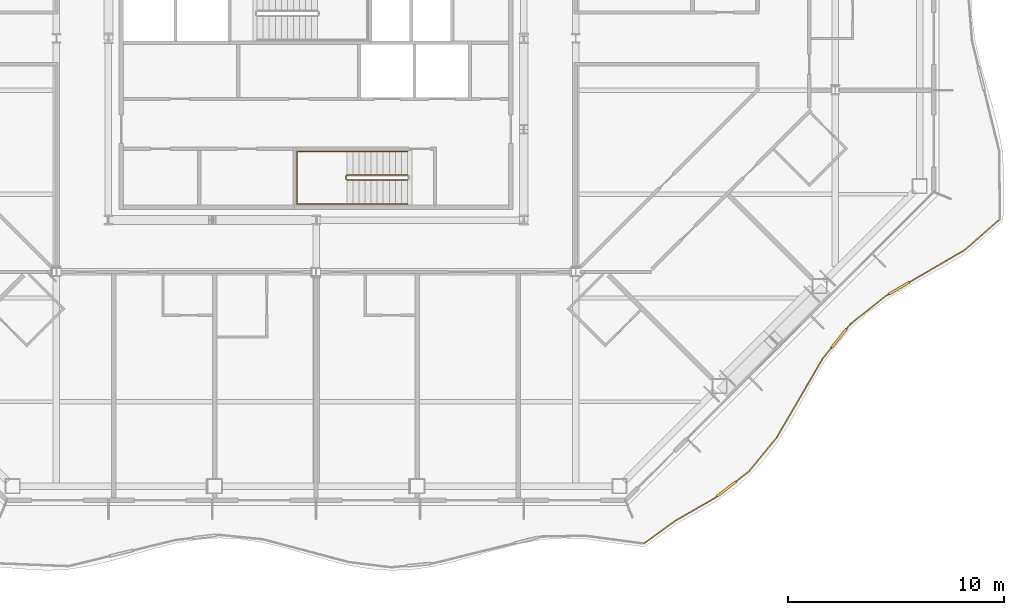
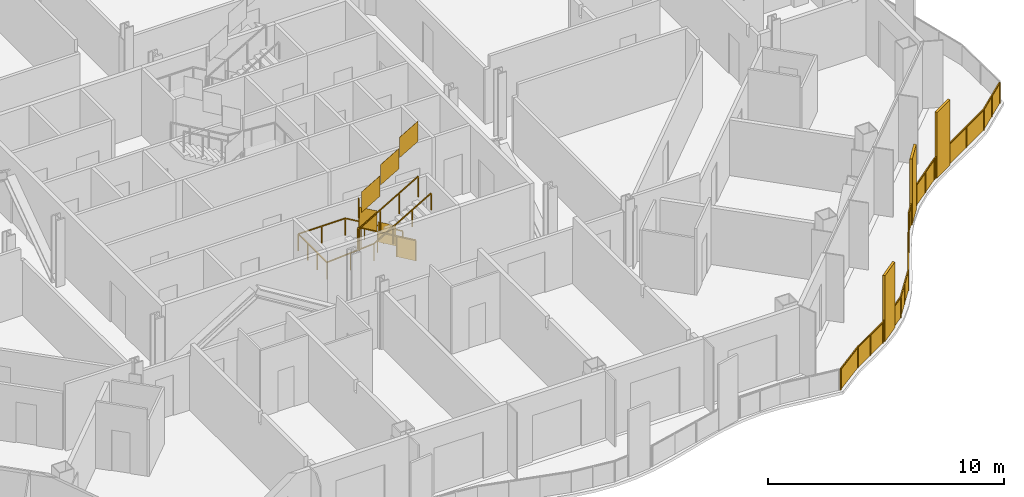
# One storey, part 18 of 21: 3 railings.
"""IFC4 building model written with IfcOpenShell, lengths in metres."""

from ifc_helpers import new_model, si_unit, direction, frame, origin, origin_2d, place, context, subcontext, project, spatial, polyline, rectangle, outline, extrude, material, type_object, element, save


model = new_model("IFC4")

# Units and contexts
model_context = context("Model", 3, precision=1e-05, world=origin(), true_north=direction((0.0, 1.0)))
body_context = subcontext(model_context, "Body", "Model", "MODEL_VIEW")
ifc_project = project(units=[si_unit("LENGTHUNIT", "METRE"), si_unit("AREAUNIT", "SQUARE_METRE"), si_unit("VOLUMEUNIT", "CUBIC_METRE"), si_unit("PLANEANGLEUNIT", "RADIAN"), si_unit("MASSUNIT", "GRAM", prefix="KILO")], contexts=[model_context])

# Site, building, storey
site_placement = place(None, origin())
site = spatial("IfcSite", under=ifc_project, at=site_placement, CompositionType="ELEMENT")
building_placement = place(site_placement, origin())
building = spatial("IfcBuilding", under=site, at=building_placement, Name="Cairn Pilgrim Tower", CompositionType="ELEMENT")
storey_placement = place(building_placement, frame((0.0, 0.0, 136.199951171875)))
storey = spatial("IfcBuildingStorey", under=building, at=storey_placement, Name="L33", CompositionType="ELEMENT", Elevation=136.199951171875)

# Railings
ifc_material_1 = material(Name="Bronze anodised aluminium rail, posts and fin screens with laminated glass infill", Category="aluminium")
railing_type_1 = type_object("IfcRailingType", Name="BALCONY GUARD WITH FIN SCREENS", PredefinedType="GUARDRAIL", material=ifc_material_1)
railing_1_placement = place(storey_placement, frame((22.351318359375, -20.952880859375, 0.0)))
element("IfcRailing", 1, at=railing_1_placement, inside=storey, type_object=railing_type_1, Name="Balcony guard BGF-2 with fin screens", PredefinedType="GUARDRAIL", context=body_context, shape_type="SweptSolid", body=[
    extrude(rectangle(XDim=0.050048828125, YDim=0.050048828125, at=origin_2d()), frame((0.0, 0.0, 1.0751953125), z_axis=(0.809139234835, 0.587616965932, 0.0), x_axis=(-0.587616965932, 0.809139234835, 0.0)), (0.0, 0.0, 1.0), 1.77978515625),
    extrude(rectangle(XDim=0.050048828125, YDim=0.050048828125, at=origin_2d()), frame((1.440185546875, 1.0458984375, 1.0751953125), z_axis=(0.867643704603, 0.497186486002, 0.0), x_axis=(-0.497186486002, 0.867643704603, 0.0)), (0.0, 0.0, 1.0), 2.107666015625),
    extrude(rectangle(XDim=1.10009765625, YDim=0.110107421875, at=origin_2d()), frame((3.8203125, 2.524658203125, 0.0), z_axis=(0.0, 0.0, 1.0), x_axis=(0.788064599698, 0.615592549259, 0.0)), (0.0, 0.0, 1.0), 3.39990234375),
    extrude(rectangle(XDim=0.050048828125, YDim=0.050048828125, at=origin_2d()), frame((3.268798828125, 2.09375, 1.0751953125), z_axis=(0.788064599698, 0.615592549259, 0.0), x_axis=(-0.615592549259, 0.788064599698, 0.0)), (0.0, 0.0, 1.0), 0.14990234375),
    extrude(rectangle(XDim=0.050048828125, YDim=0.050048828125, at=origin_2d()), frame((4.25390625, 2.86328125, 1.0751953125), z_axis=(0.788064599698, 0.615592549259, 0.0), x_axis=(-0.615592549259, 0.788064599698, 0.0)), (0.0, 0.0, 1.0), 0.774169921875),
    extrude(rectangle(XDim=0.050048828125, YDim=0.050048828125, at=origin_2d()), frame((4.864013671875, 3.33984375, 1.0751953125), z_axis=(0.633053317924, 0.774108194419, 0.0), x_axis=(-0.774108194419, 0.633053317924, 0.0)), (0.0, 0.0, 1.0), 2.01806640625),
    extrude(rectangle(XDim=0.050048828125, YDim=0.050048828125, at=origin_2d()), frame((6.1416015625, 4.902099609375, 1.0751953125), z_axis=(0.503114016785, 0.864220044962, 0.0), x_axis=(-0.864220044962, 0.503114016785, 0.0)), (0.0, 0.0, 1.0), 4.212158203125),
    extrude(rectangle(XDim=1.10009765625, YDim=0.110107421875, at=origin_2d()), frame((9.022216796875, 9.48779296875, 0.0), z_axis=(0.0, 0.0, 1.0), x_axis=(0.627244351659, 0.778822523629, 0.0)), (0.0, 0.0, 1.0), 3.39990234375),
    extrude(rectangle(XDim=0.050048828125, YDim=0.050048828125, at=origin_2d()), frame((8.2607421875, 8.542236328125, 1.0751953125), z_axis=(0.627244351659, 0.778822523629, 0.0), x_axis=(-0.778822523629, 0.627244351659, 0.0)), (0.0, 0.0, 1.0), 0.6640625),
    extrude(rectangle(XDim=0.050048828125, YDim=0.050048828125, at=origin_2d()), frame((9.3671875, 9.916015625, 1.0751953125), z_axis=(0.627244351659, 0.778822523629, 0.0), x_axis=(-0.778822523629, 0.627244351659, 0.0)), (0.0, 0.0, 1.0), 0.31201171875),
    extrude(rectangle(XDim=0.050048828125, YDim=0.050048828125, at=origin_2d()), frame((9.56298828125, 10.1591796875, 1.0751953125), z_axis=(0.783521351001, 0.621364862642, 0.0), x_axis=(-0.621364862642, 0.783521351001, 0.0)), (0.0, 0.0, 1.0), 2.07763671875),
    extrude(rectangle(XDim=1.10009765625, YDim=0.110107421875, at=origin_2d()), frame((11.795654296875, 11.802490234375, 0.0), z_axis=(0.0, 0.0, 1.0), x_axis=(0.864115345833, 0.503293819847, 0.0)), (0.0, 0.0, 1.0), 3.39990234375),
    extrude(rectangle(XDim=0.050048828125, YDim=0.050048828125, at=origin_2d()), frame((11.19091796875, 11.4501953125, 1.0751953125), z_axis=(0.864115345833, 0.503293819847, 0.0), x_axis=(-0.503293819847, 0.864115345833, 0.0)), (0.0, 0.0, 1.0), 0.14990234375),
    extrude(rectangle(XDim=0.050048828125, YDim=0.050048828125, at=origin_2d()), frame((12.27099609375, 12.079345703125, 1.0751953125), z_axis=(0.864115345833, 0.503293819847, 0.0), x_axis=(-0.503293819847, 0.864115345833, 0.0)), (0.0, 0.0, 1.0), 2.958740234375),
    extrude(rectangle(XDim=0.050048828125, YDim=0.050048828125, at=origin_2d()), frame((14.82763671875, 13.568359375, 1.0751953125), z_axis=(0.752720326501, 0.658340421114, 0.0), x_axis=(-0.658340421114, 0.752720326501, 0.0)), (0.0, 0.0, 1.0), 2.105712890625),
    extrude(rectangle(XDim=0.050048828125, YDim=0.050048828125, at=origin_2d()), origin(), (0.0, 0.0, 1.0), 1.050048828125),
    extrude(rectangle(XDim=0.050048828125, YDim=0.050048828125, at=origin_2d()), frame((1.440185546875, 1.0458984375, 0.0)), (0.0, 0.0, 1.0), 1.050048828125),
    extrude(rectangle(XDim=0.050048828125, YDim=0.050048828125, at=origin_2d()), frame((2.3544921875, 1.56982421875, 0.0)), (0.0, 0.0, 1.0), 1.050048828125),
    extrude(rectangle(XDim=0.050048828125, YDim=0.050048828125, at=origin_2d()), frame((3.268798828125, 2.09375, 0.0)), (0.0, 0.0, 1.0), 1.050048828125),
    extrude(rectangle(XDim=0.050048828125, YDim=0.050048828125, at=origin_2d()), frame((3.3671875, 2.170654296875, 0.0)), (0.0, 0.0, 1.0), 1.050048828125),
    extrude(rectangle(XDim=0.050048828125, YDim=0.050048828125, at=origin_2d()), frame((4.2734375, 2.878662109375, 0.0)), (0.0, 0.0, 1.0), 1.050048828125),
    extrude(rectangle(XDim=0.050048828125, YDim=0.050048828125, at=origin_2d()), frame((4.864013671875, 3.33984375, 0.0)), (0.0, 0.0, 1.0), 1.050048828125),
    extrude(rectangle(XDim=0.050048828125, YDim=0.050048828125, at=origin_2d()), frame((5.5029296875, 4.12109375, 0.0)), (0.0, 0.0, 1.0), 1.050048828125),
    extrude(rectangle(XDim=0.050048828125, YDim=0.050048828125, at=origin_2d()), frame((6.1416015625, 4.902099609375, 0.0)), (0.0, 0.0, 1.0), 1.050048828125),
    extrude(rectangle(XDim=0.050048828125, YDim=0.050048828125, at=origin_2d()), frame((6.847900390625, 6.115478515625, 0.0)), (0.0, 0.0, 1.0), 1.050048828125),
    extrude(rectangle(XDim=0.050048828125, YDim=0.050048828125, at=origin_2d()), frame((7.554443359375, 7.328857421875, 0.0)), (0.0, 0.0, 1.0), 1.050048828125),
    extrude(rectangle(XDim=0.050048828125, YDim=0.050048828125, at=origin_2d()), frame((8.2607421875, 8.542236328125, 0.0)), (0.0, 0.0, 1.0), 1.050048828125),
    extrude(rectangle(XDim=0.050048828125, YDim=0.050048828125, at=origin_2d()), frame((8.66162109375, 9.039794921875, 0.0)), (0.0, 0.0, 1.0), 1.050048828125),
    extrude(rectangle(XDim=0.050048828125, YDim=0.050048828125, at=origin_2d()), frame((9.3828125, 9.935546875, 0.0)), (0.0, 0.0, 1.0), 1.050048828125),
    extrude(rectangle(XDim=0.050048828125, YDim=0.050048828125, at=origin_2d()), frame((9.56298828125, 10.1591796875, 0.0)), (0.0, 0.0, 1.0), 1.050048828125),
    extrude(rectangle(XDim=0.050048828125, YDim=0.050048828125, at=origin_2d()), frame((10.376953125, 10.8046875, 0.0)), (0.0, 0.0, 1.0), 1.050048828125),
    extrude(rectangle(XDim=0.050048828125, YDim=0.050048828125, at=origin_2d()), frame((11.19091796875, 11.4501953125, 0.0)), (0.0, 0.0, 1.0), 1.050048828125),
    extrude(rectangle(XDim=0.050048828125, YDim=0.050048828125, at=origin_2d()), frame((11.298828125, 11.512939453125, 0.0)), (0.0, 0.0, 1.0), 1.050048828125),
    extrude(rectangle(XDim=0.050048828125, YDim=0.050048828125, at=origin_2d()), frame((12.29248046875, 12.091796875, 0.0)), (0.0, 0.0, 1.0), 1.050048828125),
    extrude(rectangle(XDim=0.050048828125, YDim=0.050048828125, at=origin_2d()), frame((13.56005859375, 12.830078125, 0.0)), (0.0, 0.0, 1.0), 1.050048828125),
    extrude(rectangle(XDim=0.050048828125, YDim=0.050048828125, at=origin_2d()), frame((14.82763671875, 13.568359375, 0.0)), (0.0, 0.0, 1.0), 1.050048828125),
    extrude(rectangle(XDim=0.050048828125, YDim=0.050048828125, at=origin_2d()), frame((15.6201171875, 14.261474609375, 0.0)), (0.0, 0.0, 1.0), 1.050048828125),
    extrude(rectangle(XDim=0.050048828125, YDim=0.050048828125, at=origin_2d()), frame((16.41259765625, 14.95458984375, 0.0)), (0.0, 0.0, 1.0), 1.050048828125),
    extrude(outline(polyline([(0.02490234375, 0.0), (1.7548828125, 0.0), (1.7548828125, 1.050048828125), (0.02490234375, 1.050048828125), (0.02490234375, 0.0)])), frame((-0.00341796875, 0.0048828125, 0.0), z_axis=(0.587616965932, -0.809139234835, 0.0), x_axis=(0.809139234835, 0.587616965932, 0.0)), (0.0, 0.0, 1.0), 0.011962890625),
    extrude(outline(polyline([(0.02490234375, 0.0), (1.02880859375, 0.0), (1.02880859375, 1.050048828125), (0.02490234375, 1.050048828125), (0.02490234375, 0.0)])), frame((1.437255859375, 1.051025390625, 0.0), z_axis=(0.497186486002, -0.867643704603, 0.0), x_axis=(0.867643704603, 0.497186486002, 0.0)), (0.0, 0.0, 1.0), 0.011962890625),
    extrude(outline(polyline([(0.02490234375, 0.0), (1.02880859375, 0.0), (1.02880859375, 1.050048828125), (0.02490234375, 1.050048828125), (0.02490234375, 0.0)])), frame((2.3515625, 1.574951171875, 0.0), z_axis=(0.497186486002, -0.867643704603, 0.0), x_axis=(0.867643704603, 0.497186486002, 0.0)), (0.0, 0.0, 1.0), 0.011962890625),
    extrude(outline(polyline([(0.02490234375, 0.0), (0.099853515625, 0.0), (0.099853515625, 1.050048828125), (0.02490234375, 1.050048828125), (0.02490234375, 0.0)])), frame((3.26513671875, 2.098388671875, 0.0), z_axis=(0.615592549259, -0.788064599698, 0.0), x_axis=(0.788064599698, 0.615592549259, 0.0)), (0.0, 0.0, 1.0), 0.011962890625),
    extrude(outline(polyline([(0.02490234375, 0.0), (0.72412109375, 0.0), (0.72412109375, 1.050048828125), (0.02490234375, 1.050048828125), (0.02490234375, 0.0)])), frame((4.269775390625, 2.88330078125, 0.0), z_axis=(0.615592549259, -0.788064599698, 0.0), x_axis=(0.788064599698, 0.615592549259, 0.0)), (0.0, 0.0, 1.0), 0.011962890625),
    extrude(outline(polyline([(0.02490234375, 0.0), (0.984130859375, 0.0), (0.984130859375, 1.050048828125), (0.02490234375, 1.050048828125), (0.02490234375, 0.0)])), frame((4.859375, 3.34375, 0.0), z_axis=(0.774108194419, -0.633053317924, 0.0), x_axis=(0.633053317924, 0.774108194419, 0.0)), (0.0, 0.0, 1.0), 0.011962890625),
    extrude(outline(polyline([(0.02490234375, 0.0), (0.984130859375, 0.0), (0.984130859375, 1.050048828125), (0.02490234375, 1.050048828125), (0.02490234375, 0.0)])), frame((5.498291015625, 4.124755859375, 0.0), z_axis=(0.774108194419, -0.633053317924, 0.0), x_axis=(0.633053317924, 0.774108194419, 0.0)), (0.0, 0.0, 1.0), 0.011962890625),
    extrude(outline(polyline([(0.02490234375, 0.0), (1.37890625, 0.0), (1.37890625, 1.050048828125), (0.02490234375, 1.050048828125), (0.02490234375, 0.0)])), frame((6.136474609375, 4.905029296875, 0.0), z_axis=(0.864220044962, -0.503114016785, 0.0), x_axis=(0.503114016785, 0.864220044962, 0.0)), (0.0, 0.0, 1.0), 0.011962890625),
    extrude(outline(polyline([(0.02490234375, 0.0), (1.37890625, 0.0), (1.37890625, 1.050048828125), (0.02490234375, 1.050048828125), (0.02490234375, 0.0)])), frame((6.8427734375, 6.118408203125, 0.0), z_axis=(0.864220044962, -0.503114016785, 0.0), x_axis=(0.503114016785, 0.864220044962, 0.0)), (0.0, 0.0, 1.0), 0.011962890625),
    extrude(outline(polyline([(0.02490234375, 0.0), (1.37890625, 0.0), (1.37890625, 1.050048828125), (0.02490234375, 1.050048828125), (0.02490234375, 0.0)])), frame((7.549072265625, 7.331787109375, 0.0), z_axis=(0.864220044962, -0.503114016785, 0.0), x_axis=(0.503114016785, 0.864220044962, 0.0)), (0.0, 0.0, 1.0), 0.011962890625),
    extrude(outline(polyline([(0.02490234375, 0.0), (0.614013671875, 0.0), (0.614013671875, 1.050048828125), (0.02490234375, 1.050048828125), (0.02490234375, 0.0)])), frame((8.256103515625, 8.5458984375, 0.0), z_axis=(0.778822523629, -0.627244351659, 0.0), x_axis=(0.627244351659, 0.778822523629, 0.0)), (0.0, 0.0, 1.0), 0.011962890625),
    extrude(outline(polyline([(0.02490234375, 0.0), (0.261962890625, 0.0), (0.261962890625, 1.050048828125), (0.02490234375, 1.050048828125), (0.02490234375, 0.0)])), frame((9.378173828125, 9.939453125, 0.0), z_axis=(0.778822523629, -0.627244351659, 0.0), x_axis=(0.627244351659, 0.778822523629, 0.0)), (0.0, 0.0, 1.0), 0.011962890625),
    extrude(outline(polyline([(0.02490234375, 0.0), (1.013916015625, 0.0), (1.013916015625, 1.050048828125), (0.02490234375, 1.050048828125), (0.02490234375, 0.0)])), frame((9.559326171875, 10.163818359375, 0.0), z_axis=(0.621364862642, -0.783521351001, 0.0), x_axis=(0.783521351001, 0.621364862642, 0.0)), (0.0, 0.0, 1.0), 0.011962890625),
    extrude(outline(polyline([(0.02490234375, 0.0), (1.013916015625, 0.0), (1.013916015625, 1.050048828125), (0.02490234375, 1.050048828125), (0.02490234375, 0.0)])), frame((10.373291015625, 10.809326171875, 0.0), z_axis=(0.621364862642, -0.783521351001, 0.0), x_axis=(0.783521351001, 0.621364862642, 0.0)), (0.0, 0.0, 1.0), 0.011962890625),
    extrude(outline(polyline([(0.02490234375, 0.0), (0.099853515625, 0.0), (0.099853515625, 1.050048828125), (0.02490234375, 1.050048828125), (0.02490234375, 0.0)])), frame((11.18798828125, 11.455322265625, 0.0), z_axis=(0.503293819847, -0.864115345833, 0.0), x_axis=(0.864115345833, 0.503293819847, 0.0)), (0.0, 0.0, 1.0), 0.011962890625),
    extrude(outline(polyline([(0.02490234375, 0.0), (1.44189453125, 0.0), (1.44189453125, 1.050048828125), (0.02490234375, 1.050048828125), (0.02490234375, 0.0)])), frame((12.28955078125, 12.096923828125, 0.0), z_axis=(0.503293819847, -0.864115345833, 0.0), x_axis=(0.864115345833, 0.503293819847, 0.0)), (0.0, 0.0, 1.0), 0.011962890625),
    extrude(outline(polyline([(0.02490234375, 0.0), (1.44189453125, 0.0), (1.44189453125, 1.050048828125), (0.02490234375, 1.050048828125), (0.02490234375, 0.0)])), frame((13.55712890625, 12.835205078125, 0.0), z_axis=(0.503293819847, -0.864115345833, 0.0), x_axis=(0.864115345833, 0.503293819847, 0.0)), (0.0, 0.0, 1.0), 0.011962890625),
    extrude(outline(polyline([(0.02490234375, 0.0), (1.02783203125, 0.0), (1.02783203125, 1.050048828125), (0.02490234375, 1.050048828125), (0.02490234375, 0.0)])), frame((14.82373046875, 13.57275390625, 0.0), z_axis=(0.658340421114, -0.752720326501, 0.0), x_axis=(0.752720326501, 0.658340421114, 0.0)), (0.0, 0.0, 1.0), 0.011962890625),
    extrude(outline(polyline([(0.02490234375, 0.0), (1.02783203125, 0.0), (1.02783203125, 1.050048828125), (0.02490234375, 1.050048828125), (0.02490234375, 0.0)])), frame((15.6162109375, 14.265869140625, 0.0), z_axis=(0.658340421114, -0.752720326501, 0.0), x_axis=(0.752720326501, 0.658340421114, 0.0)), (0.0, 0.0, 1.0), 0.011962890625),
])
ifc_material_2 = material(Name="Painted steel", Category="steel")
railing_type_2 = type_object("IfcRailingType", Name="STAIR GUARD 1100", PredefinedType="GUARDRAIL", material=ifc_material_2)
railing_2_placement = place(storey_placement, frame((11.425048828125, -3.925048828125, 0.16357421875)))
element("IfcRailing", 2, at=railing_2_placement, inside=storey, type_object=railing_type_2, Name="L33 ST-A stair guard 1", PredefinedType="GUARDRAIL", context=body_context, shape_type="SweptSolid", body=[
    extrude(rectangle(XDim=0.048095703125, YDim=0.048095703125, at=origin_2d()), frame((0.0, 0.0, 1.076171875), z_axis=(-0.863360870873, 0.0, 0.504586966384), x_axis=(0.0, -1.0, 0.0)), (0.0, 0.0, 1.0), 3.2431640625),
    extrude(rectangle(XDim=0.048095703125, YDim=0.048095703125, at=origin_2d()), frame((-2.800048828125, 0.0, 2.71240234375), z_axis=(-0.707106781187, -0.707106781187, 0.0), x_axis=(0.707106781187, -0.707106781187, 0.0)), (0.0, 0.0, 1.0), 0.07080078125),
    extrude(rectangle(XDim=0.048095703125, YDim=0.048095703125, at=origin_2d()), frame((-2.85009765625, -0.050048828125, 2.71240234375), z_axis=(0.0, -1.0, 0.0), x_axis=(1.0, 0.0, 0.0)), (0.0, 0.0, 1.0), 0.125),
    extrude(rectangle(XDim=0.048095703125, YDim=0.048095703125, at=origin_2d()), frame((-2.85009765625, -0.175048828125, 2.71240234375), z_axis=(0.280916556609, -0.279546231943, 0.91811752648), x_axis=(0.705375805398, 0.708833529934, 0.0)), (0.0, 0.0, 1.0), 0.17822265625),
    extrude(rectangle(XDim=0.048095703125, YDim=0.048095703125, at=origin_2d()), frame((-2.800048828125, -0.224853515625, 2.8759765625), z_axis=(0.863360870873, 0.0, 0.504586966384), x_axis=(0.0, 1.0, 0.0)), (0.0, 0.0, 1.0), 3.2431640625),
    extrude(rectangle(XDim=0.0419921875, YDim=0.0419921875, at=origin_2d()), origin(), (0.0, 0.0, 1.0), 1.052001953125),
    extrude(rectangle(XDim=0.0419921875, YDim=0.0419921875, at=origin_2d()), frame((-0.933349609375, 0.0, 0.54541015625)), (0.0, 0.0, 1.0), 1.052001953125),
    extrude(rectangle(XDim=0.0419921875, YDim=0.0419921875, at=origin_2d()), frame((-1.86669921875, 0.0, 1.091064453125)), (0.0, 0.0, 1.0), 1.052001953125),
    extrude(rectangle(XDim=0.0419921875, YDim=0.0419921875, at=origin_2d()), frame((-2.800048828125, 0.0, 1.636474609375)), (0.0, 0.0, 1.0), 1.052001953125),
    extrude(rectangle(XDim=0.0419921875, YDim=0.0419921875, at=origin_2d()), frame((-2.85009765625, -0.050048828125, 1.636474609375)), (0.0, 0.0, 1.0), 1.052001953125),
    extrude(rectangle(XDim=0.0419921875, YDim=0.0419921875, at=origin_2d()), frame((-2.85009765625, -0.175048828125, 1.636474609375)), (0.0, 0.0, 1.0), 1.052001953125),
    extrude(rectangle(XDim=0.0419921875, YDim=0.0419921875, at=origin_2d()), frame((-2.800048828125, -0.224853515625, 1.800048828125)), (0.0, 0.0, 1.0), 1.052001953125),
    extrude(rectangle(XDim=0.0419921875, YDim=0.0419921875, at=origin_2d()), frame((-1.86669921875, -0.224853515625, 2.345458984375)), (0.0, 0.0, 1.0), 1.052001953125),
    extrude(rectangle(XDim=0.0419921875, YDim=0.0419921875, at=origin_2d()), frame((-0.933349609375, -0.224853515625, 2.89111328125)), (0.0, 0.0, 1.0), 1.052001953125),
    extrude(rectangle(XDim=0.0419921875, YDim=0.0419921875, at=origin_2d()), frame((0.0, -0.224853515625, 3.4365234375)), (0.0, 0.0, 1.0), 1.052001953125),
    extrude(outline(polyline([(0.02099609375, 0.01220703125), (0.912353515625, 0.533203125), (0.912353515625, 1.585205078125), (0.02099609375, 1.064208984375), (0.02099609375, 0.01220703125)])), frame((0.0, -0.005859375, 0.0), z_axis=(0.0, 1.0, 0.0), x_axis=(-1.0, 0.0, 0.0)), (0.0, 0.0, 1.0), 0.011962890625),
    extrude(outline(polyline([(0.02099609375, 0.557861328125), (0.912353515625, 1.07861328125), (0.912353515625, 2.130615234375), (0.02099609375, 1.60986328125), (0.02099609375, 0.557861328125)])), frame((-0.933349609375, -0.005859375, 0.54541015625), z_axis=(0.0, 1.0, 0.0), x_axis=(-1.0, 0.0, 0.0)), (0.0, 0.0, 1.0), 0.011962890625),
    extrude(outline(polyline([(0.02099609375, 1.103271484375), (0.912353515625, 1.624267578125), (0.912353515625, 2.67626953125), (0.02099609375, 2.1552734375), (0.02099609375, 1.103271484375)])), frame((-1.86669921875, -0.005859375, 1.091064453125), z_axis=(0.0, 1.0, 0.0), x_axis=(-1.0, 0.0, 0.0)), (0.0, 0.0, 1.0), 0.011962890625),
    extrude(outline(polyline([(0.02099609375, 1.636474609375), (0.10400390625, 1.636474609375), (0.10400390625, 2.6884765625), (0.02099609375, 2.6884765625), (0.02099609375, 1.636474609375)])), frame((-2.84423828125, -0.050048828125, 1.636474609375), z_axis=(-1.0, 0.0, 0.0), x_axis=(0.0, -1.0, 0.0)), (0.0, 0.0, 1.0), 0.011962890625),
    extrude(outline(polyline([(0.02099609375, 1.812255859375), (0.912353515625, 2.333251953125), (0.912353515625, 3.38525390625), (0.02099609375, 2.8642578125), (0.02099609375, 1.812255859375)])), frame((-2.800048828125, -0.21875, 1.800048828125), z_axis=(0.0, -1.0, 0.0), x_axis=(1.0, 0.0, 0.0)), (0.0, 0.0, 1.0), 0.011962890625),
    extrude(outline(polyline([(0.02099609375, 2.35791015625), (0.912353515625, 2.878662109375), (0.912353515625, 3.9306640625), (0.02099609375, 3.409912109375), (0.02099609375, 2.35791015625)])), frame((-1.86669921875, -0.21875, 2.345458984375), z_axis=(0.0, -1.0, 0.0), x_axis=(1.0, 0.0, 0.0)), (0.0, 0.0, 1.0), 0.011962890625),
    extrude(outline(polyline([(0.02099609375, 2.9033203125), (0.912353515625, 3.42431640625), (0.912353515625, 4.476318359375), (0.02099609375, 3.955322265625), (0.02099609375, 2.9033203125)])), frame((-0.933349609375, -0.21875, 2.89111328125), z_axis=(0.0, -1.0, 0.0), x_axis=(1.0, 0.0, 0.0)), (0.0, 0.0, 1.0), 0.011962890625),
])
railing_type_3 = type_object("IfcRailingType", Name="STAIR HANDRAIL 900", PredefinedType="HANDRAIL", material=ifc_material_2)
railing_3_placement = place(storey_placement, frame((11.425048828125, -2.824951171875, 0.16357421875)))
element("IfcRailing", 3, at=railing_3_placement, inside=storey, type_object=railing_type_3, Name="L33 ST-A stair handrail 1", PredefinedType="HANDRAIL", context=body_context, shape_type="SweptSolid", body=[
    extrude(rectangle(XDim=0.048095703125, YDim=0.048095703125, at=origin_2d()), frame((0.0, 0.0, 0.8759765625), z_axis=(-0.863360870873, 0.0, 0.504586966384), x_axis=(0.0, -1.0, 0.0)), (0.0, 0.0, 1.0), 3.2431640625),
    extrude(rectangle(XDim=0.048095703125, YDim=0.048095703125, at=origin_2d()), frame((-2.800048828125, 0.0, 2.51220703125), z_axis=(-1.0, 0.0, 0.0), x_axis=(0.0, -1.0, 0.0)), (0.0, 0.0, 1.0), 2.300048828125),
    extrude(rectangle(XDim=0.048095703125, YDim=0.048095703125, at=origin_2d()), frame((-5.10009765625, 0.0, 2.51220703125), z_axis=(0.0, -1.0, 0.0), x_axis=(1.0, 0.0, 0.0)), (0.0, 0.0, 1.0), 2.425048828125),
    extrude(rectangle(XDim=0.048095703125, YDim=0.048095703125, at=origin_2d()), frame((-5.10009765625, -2.425048828125, 2.51220703125), z_axis=(0.997480687736, 0.0, 0.070938548008), x_axis=(0.0, 1.0, 0.0)), (0.0, 0.0, 1.0), 2.305908203125),
    extrude(rectangle(XDim=0.048095703125, YDim=0.048095703125, at=origin_2d()), frame((-2.800048828125, -2.425048828125, 2.67578125), z_axis=(0.863360870873, 0.0, 0.504586966384), x_axis=(0.0, 1.0, 0.0)), (0.0, 0.0, 1.0), 3.2431640625),
    extrude(rectangle(XDim=0.0419921875, YDim=0.0419921875, at=origin_2d()), origin(), (0.0, 0.0, 1.0), 0.851806640625),
    extrude(rectangle(XDim=0.0419921875, YDim=0.0419921875, at=origin_2d()), frame((-0.933349609375, 0.0, 0.54541015625)), (0.0, 0.0, 1.0), 0.851806640625),
    extrude(rectangle(XDim=0.0419921875, YDim=0.0419921875, at=origin_2d()), frame((-1.86669921875, 0.0, 1.091064453125)), (0.0, 0.0, 1.0), 0.851806640625),
    extrude(rectangle(XDim=0.0419921875, YDim=0.0419921875, at=origin_2d()), frame((-2.800048828125, 0.0, 1.636474609375)), (0.0, 0.0, 1.0), 0.851806640625),
    extrude(rectangle(XDim=0.0419921875, YDim=0.0419921875, at=origin_2d()), frame((-3.9501953125, 0.0, 1.636474609375)), (0.0, 0.0, 1.0), 0.851806640625),
    extrude(rectangle(XDim=0.0419921875, YDim=0.0419921875, at=origin_2d()), frame((-5.10009765625, 0.0, 1.636474609375)), (0.0, 0.0, 1.0), 0.851806640625),
    extrude(rectangle(XDim=0.0419921875, YDim=0.0419921875, at=origin_2d()), frame((-5.10009765625, -0.808349609375, 1.636474609375)), (0.0, 0.0, 1.0), 0.851806640625),
    extrude(rectangle(XDim=0.0419921875, YDim=0.0419921875, at=origin_2d()), frame((-5.10009765625, -1.61669921875, 1.636474609375)), (0.0, 0.0, 1.0), 0.851806640625),
    extrude(rectangle(XDim=0.0419921875, YDim=0.0419921875, at=origin_2d()), frame((-5.10009765625, -2.425048828125, 1.636474609375)), (0.0, 0.0, 1.0), 0.851806640625),
    extrude(rectangle(XDim=0.0419921875, YDim=0.0419921875, at=origin_2d()), frame((-3.9501953125, -2.425048828125, 1.71826171875)), (0.0, 0.0, 1.0), 0.851806640625),
    extrude(rectangle(XDim=0.0419921875, YDim=0.0419921875, at=origin_2d()), frame((-2.800048828125, -2.425048828125, 1.800048828125)), (0.0, 0.0, 1.0), 0.851806640625),
    extrude(rectangle(XDim=0.0419921875, YDim=0.0419921875, at=origin_2d()), frame((-1.86669921875, -2.425048828125, 2.345458984375)), (0.0, 0.0, 1.0), 0.851806640625),
    extrude(rectangle(XDim=0.0419921875, YDim=0.0419921875, at=origin_2d()), frame((-0.933349609375, -2.425048828125, 2.89111328125)), (0.0, 0.0, 1.0), 0.851806640625),
    extrude(rectangle(XDim=0.0419921875, YDim=0.0419921875, at=origin_2d()), frame((0.0, -2.425048828125, 3.4365234375)), (0.0, 0.0, 1.0), 0.851806640625),
])

save(model, "model.ifc")
